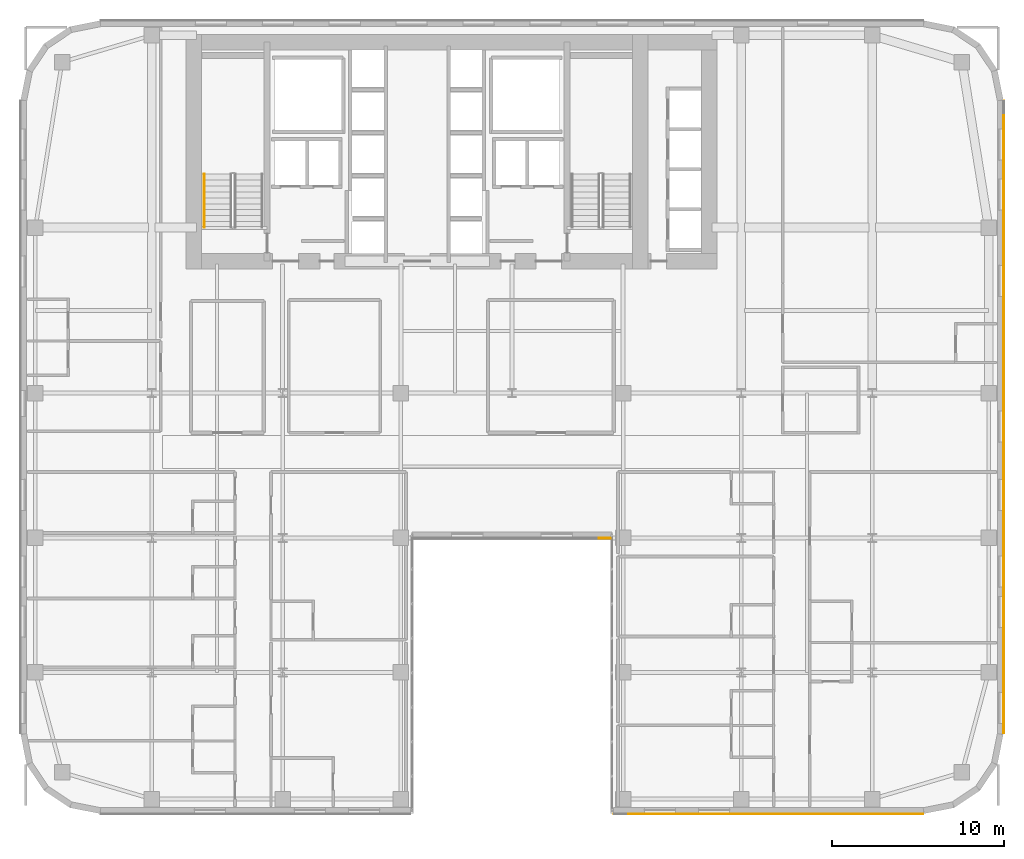
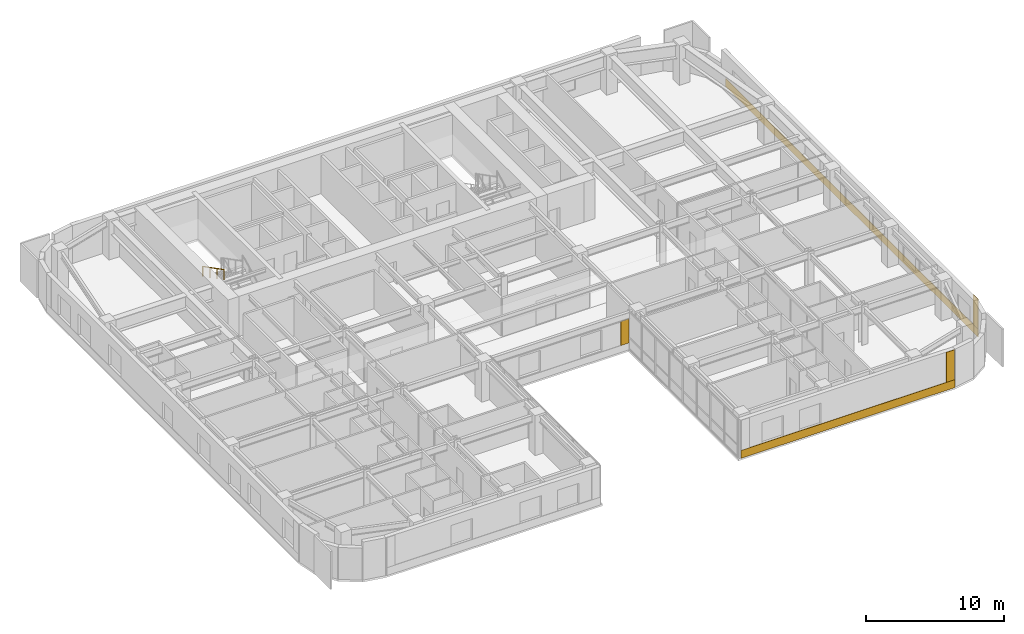
# One storey, part 21 of 24: 5 coverings, 1 railing.
"""IFC4 building model written with IfcOpenShell, lengths in metres."""

from ifc_helpers import new_model, si_unit, direction, frame, origin, origin_2d, place, context, subcontext, project, spatial, polyline, circle, outline, extrude, material, layer, layer_set, type_object, element, save


model = new_model("IFC4")

# Units and contexts
model_context = context("Model", 3, precision=1e-05, world=origin(), true_north=direction((0.0, 1.0)))
body_context = subcontext(model_context, "Body", "Model", "MODEL_VIEW")
ifc_project = project(units=[si_unit("LENGTHUNIT", "METRE"), si_unit("AREAUNIT", "SQUARE_METRE"), si_unit("VOLUMEUNIT", "CUBIC_METRE"), si_unit("PLANEANGLEUNIT", "RADIAN"), si_unit("MASSUNIT", "GRAM", prefix="KILO")], contexts=[model_context])

# Site, building, storey
site_placement = place(None, origin())
site = spatial("IfcSite", under=ifc_project, at=site_placement, CompositionType="ELEMENT")
building_placement = place(site_placement, origin())
building = spatial("IfcBuilding", under=site, at=building_placement, Name="Tolvann Quenvar Hotel", CompositionType="ELEMENT")
storey_placement = place(building_placement, frame((0.0, 0.0, 81.699951171875)))
storey = spatial("IfcBuildingStorey", under=building, at=storey_placement, Name="L20", CompositionType="ELEMENT", Elevation=81.699951171875)

# Coverings
ifc_material_1 = material(Name="Kiln-fired red architectural face brick cladding", Category="masonry")
ifc_layer_1 = layer(ifc_material_1, 0.0400390625)
ifc_layer_set_1 = layer_set([ifc_layer_1], Name="Kiln-fired red architectural face brick cladding")
covering_type_1 = type_object("IfcCoveringType", Name="COV_CLAD_BRICK_40", PredefinedType="CLADDING", material=ifc_layer_set_1)
covering_1_placement = place(storey_placement, frame((0.0, 0.0, 0.604736328125)))
element("IfcCovering", 1, at=covering_1_placement, inside=storey, type_object=covering_type_1, Name="Brick Pier Cladding (L20-E06-P2)", PredefinedType="CLADDING", context=body_context, shape_type="SweptSolid", body=[
    extrude(outline(polyline([(33.5400390625, 16.0), (34.239990234375, 16.0), (34.239990234375, 15.9599609375), (33.5400390625, 15.9599609375), (33.5400390625, 16.0)])), origin(), (0.0, 0.0, 1.0), 2.143310546875),
])
covering_2_placement = place(storey_placement, frame((0.0, 0.0, 0.699951171875)))
element("IfcCovering", 2, at=covering_2_placement, inside=storey, type_object=covering_type_1, Name="Brick Pier Cladding (L20-E08-P2)", PredefinedType="CLADDING", context=body_context, shape_type="SweptSolid", body=[
    extrude(outline(polyline([(51.6328125, 0.0), (52.332763671875, 0.0), (52.332763671875, -0.0400390625), (51.6328125, -0.0400390625), (51.6328125, 0.0)])), origin(), (0.0, 0.0, 1.0), 2.670166015625),
])
covering_3_placement = place(storey_placement, frame((0.0, 0.0, 0.699951171875)))
element("IfcCovering", 3, at=covering_3_placement, inside=storey, type_object=covering_type_1, Name="Brick Pier Cladding (L20-E13-P1)", PredefinedType="CLADDING", context=body_context, shape_type="SweptSolid", body=[
    extrude(outline(polyline([(57.0, 4.667236328125), (57.0, 5.3671875), (57.0400390625, 5.3671875), (57.0400390625, 4.667236328125), (57.0, 4.667236328125)])), origin(), (0.0, 0.0, 1.0), 2.670166015625),
])
ifc_material_2 = material(Name="Moulded buff architectural terracotta spandrel cladding", Category="masonry")
ifc_layer_2 = layer(ifc_material_2, 0.0400390625)
ifc_layer_set_2 = layer_set([ifc_layer_2], Name="Moulded buff architectural terracotta spandrel cladding")
covering_type_2 = type_object("IfcCoveringType", Name="COV_CLAD_TERRA_40", PredefinedType="CLADDING", material=ifc_layer_set_2)
covering_4_placement = place(storey_placement, origin())
element("IfcCovering", 4, at=covering_4_placement, inside=storey, type_object=covering_type_2, Name="Terracotta Spandrel Cladding (L20-E08)", PredefinedType="CLADDING", context=body_context, shape_type="SweptSolid", body=[
    extrude(outline(polyline([(34.4150390625, 0.0), (52.3427734375, 0.0), (52.3427734375, -0.0400390625), (34.4150390625, -0.0400390625), (34.4150390625, 0.0)])), origin(), (0.0, 0.0, 1.0), 0.699951171875),
])
covering_5_placement = place(storey_placement, origin())
element("IfcCovering", 5, at=covering_5_placement, inside=storey, type_object=covering_type_2, Name="Terracotta Spandrel Cladding (L20-E13)", PredefinedType="CLADDING", context=body_context, shape_type="SweptSolid", body=[
    extrude(outline(polyline([(57.0, 4.6572265625), (57.0, 41.3427734375), (57.0400390625, 41.3427734375), (57.0400390625, 4.6572265625), (57.0, 4.6572265625)])), origin(), (0.0, 0.0, 1.0), 0.699951171875),
])

# Railing
ifc_material_3 = material(Name="Brushed 316 stainless steel balustrade and handrail", Category="steel")
railing_type = type_object("IfcRailingType", Name="HANDRAIL", PredefinedType="HANDRAIL", material=ifc_material_3)
railing_placement = place(storey_placement, frame((10.64990234375, 37.10498046875, 1.95263671875)))
element("IfcRailing", 6, at=railing_placement, inside=storey, type_object=railing_type, Name="L20 ST-C1 stair handrail 2", PredefinedType="HANDRAIL", context=body_context, shape_type="SweptSolid", body=[
    extrude(circle(Radius=0.02392578125, at=origin_2d()), frame((0.0, 0.0, 0.8759765625), z_axis=(0.0, -0.889221982265, 0.45747597342), x_axis=(1.0, 0.0, 0.0)), (0.0, 0.0, 1.0), 3.49169921875),
    extrude(circle(Radius=0.02099609375, at=origin_2d()), origin(), (0.0, 0.0, 1.0), 0.851806640625),
    extrude(circle(Radius=0.02099609375, at=origin_2d()), frame((0.0, -1.034912109375, 0.532470703125)), (0.0, 0.0, 1.0), 0.851806640625),
    extrude(circle(Radius=0.02099609375, at=origin_2d()), frame((0.0, -2.070068359375, 1.06494140625)), (0.0, 0.0, 1.0), 0.851806640625),
    extrude(circle(Radius=0.02099609375, at=origin_2d()), frame((0.0, -3.10498046875, 1.597412109375)), (0.0, 0.0, 1.0), 0.851806640625),
])

save(model, "model.ifc")
